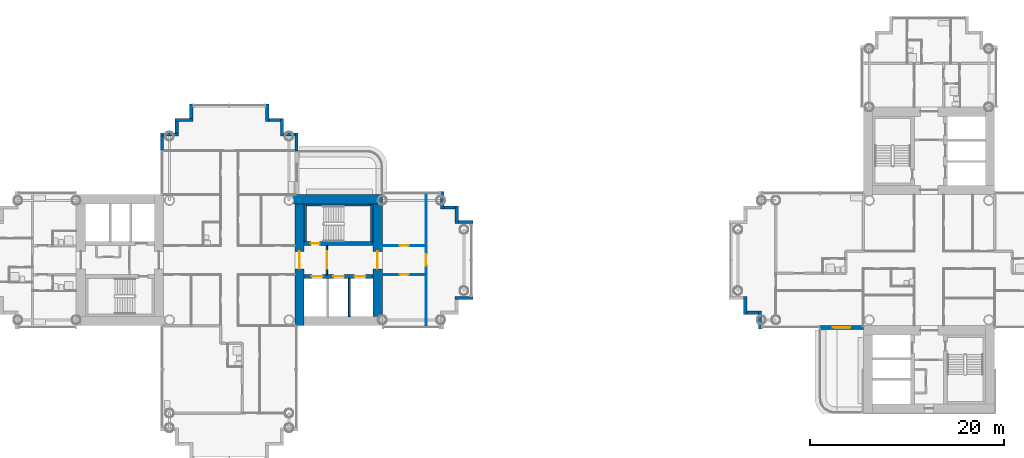
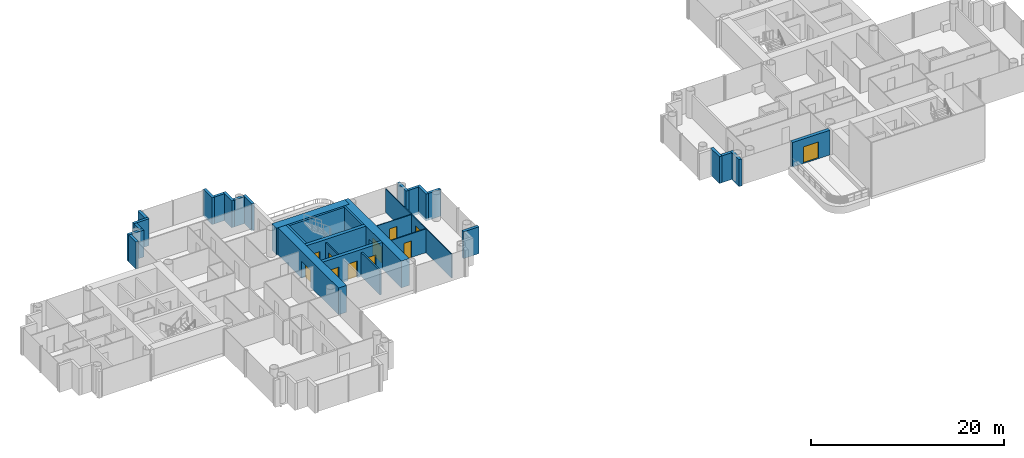
# One storey, part 11 of 21: 32 walls, 11 doors, 11 openings.
"""IFC4 building model written with IfcOpenShell, lengths in metres."""

import ifcopenshell
import ifcopenshell.guid

model = None  # the IFC model being written
_history = None  # IfcOwnerHistory: only IFC2X3 demands one
_inside = {}  # id of a spatial element -> (the spatial element, [elements in it])
_under = {}  # id of a project, library or spatial element -> (it, [spatial elements below it])
_declared = {}  # id of a project -> (the project, [libraries it declares])
_typed = {}  # id of a type object -> (the type object, [elements of that type])
_made_of = {}  # id of a material, layer set ... -> (it, [elements and type objects made of it])


def new_model(schema):
    """Start an empty IFC model of exactly this schema.

    Asked for "IFC4X3", IfcOpenShell would pick the latest addendum, in which some entities
    have other attributes; the version numbers below select the first issue.
    IFC2X3 requires an IfcOwnerHistory on every rooted entity: one is made here for all.
    """
    global model, _history
    if schema == "IFC4X3":
        model = ifcopenshell.file(schema_version=(4, 3, 0, 0))
    else:
        model = ifcopenshell.file(schema=schema)
    _inside.clear()
    _under.clear()
    _declared.clear()
    _typed.clear()
    _made_of.clear()
    _history = None
    if model.schema == "IFC2X3":
        org = make("IfcOrganization", Name="unknown")
        user = make(
            "IfcPersonAndOrganization",
            ThePerson=make("IfcPerson", FamilyName="unknown"),
            TheOrganization=org,
        )
        app = make(
            "IfcApplication",
            ApplicationDeveloper=org,
            Version="unknown",
            ApplicationFullName="unknown",
            ApplicationIdentifier="unknown",
        )
        _history = make(
            "IfcOwnerHistory",
            OwningUser=user,
            OwningApplication=app,
            ChangeAction="ADDED",
            CreationDate=0,
        )
    return model


def make(cls, **values):
    """One entity of the class cls with the attributes given. An attribute that is None is left unset."""
    return model.create_entity(
        cls, **{name: value for name, value in values.items() if value is not None}
    )


def rooted(cls, **values):
    """An entity with a GlobalId (a new one), such as an element, a storey or a relation."""
    return make(cls, GlobalId=ifcopenshell.guid.new(), OwnerHistory=_history, **values)


def si_unit(unit_type, name, prefix=None):
    """IfcSIUnit, for example si_unit("LENGTHUNIT", "METRE", prefix="MILLI")."""
    return make("IfcSIUnit", UnitType=unit_type, Prefix=prefix, Name=name)


def assignment(units):
    """IfcUnitAssignment: the units of a project."""
    return None if units is None else make("IfcUnitAssignment", Units=units)


def point(xyz):
    """IfcCartesianPoint."""
    return None if xyz is None else make("IfcCartesianPoint", Coordinates=xyz)


def direction(xyz):
    """IfcDirection."""
    return None if xyz is None else make("IfcDirection", DirectionRatios=xyz)


def frame(location, z_axis=None, x_axis=None):
    """IfcAxis2Placement3D, a coordinate frame: its origin and axes. An axis left out is left unset."""
    return make(
        "IfcAxis2Placement3D",
        Location=point(location),
        Axis=direction(z_axis),
        RefDirection=direction(x_axis),
    )


def frame_2d(location, x_axis=None):
    """IfcAxis2Placement2D, a coordinate frame in the plane: its origin and x axis."""
    return make(
        "IfcAxis2Placement2D", Location=point(location), RefDirection=direction(x_axis)
    )


def origin():
    """The frame at (0, 0, 0) with its axes left unset."""
    return frame((0.0, 0.0, 0.0))


def place(relative_to, where):
    """IfcLocalPlacement: puts the frame where relative to a parent placement (None: the world)."""
    return make(
        "IfcLocalPlacement", PlacementRelTo=relative_to, RelativePlacement=where
    )


def context(
    kind, dimensions, precision=None, world=None, true_north=None, identifier=None
):
    """IfcGeometricRepresentationContext, for example the 3D "Model" context."""
    return make(
        "IfcGeometricRepresentationContext",
        ContextIdentifier=identifier,
        ContextType=kind,
        CoordinateSpaceDimension=dimensions,
        Precision=precision,
        WorldCoordinateSystem=world,
        TrueNorth=true_north,
    )


def subcontext(parent, identifier, kind, view, scale=None):
    """IfcGeometricRepresentationSubContext, for example "Body" below "Model"."""
    return make(
        "IfcGeometricRepresentationSubContext",
        ContextIdentifier=identifier,
        ContextType=kind,
        ParentContext=parent,
        TargetScale=scale,
        TargetView=view,
    )


def project(units=None, contexts=None):
    """IfcProject with its units and contexts."""
    return rooted(
        "IfcProject",
        Name="project",
        RepresentationContexts=contexts,
        UnitsInContext=assignment(units),
    )


def spatial(cls, under=None, at=None, **own):
    """A site, building, storey or space (cls), placed at a placement, below another one or the project."""
    s = rooted(cls, ObjectPlacement=at, **own)
    if under is not None:
        _under.setdefault(under.id(), (under, []))[1].append(s)
    return s


def profile(cls, at=None, kind="AREA", **sizes):
    """A parametric profile (cls). Its sizes go by their IFC names, for example OverallWidth=200.0."""
    return make(cls, ProfileType=kind, Position=at, **sizes)


def rectangle(**sizes):
    """IfcRectangleProfileDef."""
    return profile("IfcRectangleProfileDef", **sizes)


def extrude(swept, where, along, depth):
    """IfcExtrudedAreaSolid: the profile swept, set in the frame where, extruded along a direction by depth."""
    return make(
        "IfcExtrudedAreaSolid",
        SweptArea=swept,
        Position=where,
        ExtrudedDirection=direction(along),
        Depth=depth,
    )


def shape(context_of_items, identifier, shape_type, items):
    """IfcShapeRepresentation: the items that make up one representation, for example the "Body"."""
    return make(
        "IfcShapeRepresentation",
        ContextOfItems=context_of_items,
        RepresentationIdentifier=identifier,
        RepresentationType=shape_type,
        Items=items,
    )


def material(Name=None, Category=None):
    """IfcMaterial."""
    return make("IfcMaterial", Name=Name, Category=Category)


def layer(
    of_material, thickness, ventilated=None, Name=None, Category=None, Priority=None
):
    """IfcMaterialLayer: one layer of a wall or slab, of a material (None: an air gap)."""
    return make(
        "IfcMaterialLayer",
        Material=of_material,
        LayerThickness=thickness,
        IsVentilated=ventilated,
        Name=Name,
        Category=Category,
        Priority=Priority,
    )


def layer_set(layers, Name=None):
    """IfcMaterialLayerSet."""
    return make("IfcMaterialLayerSet", MaterialLayers=layers, LayerSetName=Name)


def made_of(thing, what):
    """Note that an element or type object is made of a material, layer set ...; save() writes the relation."""
    if what is not None:
        _made_of.setdefault(what.id(), (what, []))[1].append(thing)
    return thing


def type_object(cls, material=None, **own):
    """A type object (cls), such as IfcWallType, which elements share."""
    return made_of(rooted(cls, **own), material)


def element(
    cls,
    number,
    at=None,
    inside=None,
    cuts=None,
    type_object=None,
    material=None,
    context=None,
    identifier="Body",
    shape_type=None,
    held_by="IfcProductDefinitionShape",
    body=None,
    shapes=None,
    **own,
):
    """One element of the class cls, such as IfcWall. Its Tag is "e" and its number.

    at: its placement. inside: the storey or other place that contains it. cuts: it is an
    opening in that element (IfcRelVoidsElement). A single representation is given by context,
    identifier, shape_type and body (its items); several are given by shapes. held_by: the class
    of the entity that holds the representations. save() writes the other relations.
    """
    e = rooted(cls, Tag="e%d" % number, ObjectPlacement=at, **own)
    if body is not None:
        shapes = [shape(context, identifier, shape_type, body)]
    if shapes is not None:
        e.Representation = make(held_by, Representations=shapes)
    if inside is not None:
        _inside.setdefault(inside.id(), (inside, []))[1].append(e)
    if cuts is not None:
        rooted(
            "IfcRelVoidsElement", RelatingBuildingElement=cuts, RelatedOpeningElement=e
        )
    if type_object is not None:
        _typed.setdefault(type_object.id(), (type_object, []))[1].append(e)
    return made_of(e, material)


def fill(opening, filler):
    """IfcRelFillsElement: the door or window that sits in an opening."""
    return rooted(
        "IfcRelFillsElement",
        RelatingOpeningElement=opening,
        RelatedBuildingElement=filler,
    )


def aggregate(whole, parts):
    """IfcRelAggregates: a whole, such as a stair, and the parts it consists of."""
    return rooted("IfcRelAggregates", RelatingObject=whole, RelatedObjects=parts)


def save(model, path):
    """Write the relations noted so far, then the file.

    IfcRelAggregates (storeys below a building ...), IfcRelContainedInSpatialStructure (elements
    in a storey), IfcRelDefinesByType, IfcRelAssociatesMaterial and IfcRelDeclares: one each for
    every whole, place, type object, material and project.
    """
    for whole, parts in _under.values():
        aggregate(whole, parts)
    for where, things in _inside.values():
        rooted(
            "IfcRelContainedInSpatialStructure",
            RelatedElements=things,
            RelatingStructure=where,
        )
    for kind, things in _typed.values():
        rooted("IfcRelDefinesByType", RelatedObjects=things, RelatingType=kind)
    for what, things in _made_of.values():
        rooted("IfcRelAssociatesMaterial", RelatedObjects=things, RelatingMaterial=what)
    for by, libraries in _declared.values():
        rooted("IfcRelDeclares", RelatingContext=by, RelatedDefinitions=libraries)
    model.write(path)


model = new_model("IFC4")

# Units and contexts
model_context = context("Model", 3, precision=1e-05, world=origin(), true_north=direction((0.0, 1.0)))
body_context = subcontext(model_context, "Body", "Model", "MODEL_VIEW")
ifc_project = project(units=[si_unit("LENGTHUNIT", "METRE"), si_unit("AREAUNIT", "SQUARE_METRE"), si_unit("VOLUMEUNIT", "CUBIC_METRE"), si_unit("PLANEANGLEUNIT", "RADIAN"), si_unit("MASSUNIT", "GRAM", prefix="KILO")], contexts=[model_context])

# Site, building, storey
site_placement = place(None, origin())
site = spatial("IfcSite", under=ifc_project, at=site_placement, CompositionType="ELEMENT")
building_placement = place(site_placement, origin())
building = spatial("IfcBuilding", under=site, at=building_placement, Name="Ipe Terrace Towers", CompositionType="ELEMENT")
storey_placement = place(building_placement, frame((0.0, 0.0, 83.39990234375)))
storey = spatial("IfcBuildingStorey", under=building, at=storey_placement, Name="L22", CompositionType="ELEMENT", Elevation=83.39990234375)

# Wall, opening, door
ifc_material_1 = material(Name="Concrete C40/50 with buff precast cladding", Category="concrete")
ifc_layer_1 = layer(ifc_material_1, 0.39990234375)
ifc_layer_set_1 = layer_set([ifc_layer_1], Name="BALCONY BAY WALL 400")
wall_type_1 = type_object("IfcWallType", Name="BALCONY BAY WALL 400", PredefinedType="STANDARD", material=ifc_layer_set_1)
wall_1_placement = place(storey_placement, frame((24.75, -6.949951171875, -0.02001953125), z_axis=(0.0, 0.0, 1.0), x_axis=(1.0, 0.0, 0.0)))
wall_1 = element("IfcWall", 1, at=wall_1_placement, inside=storey, type_object=wall_type_1, Name="T2-W-L22-40a wall", PredefinedType="STANDARD", context=body_context, shape_type="SweptSolid", body=[
    extrude(rectangle(XDim=4.5, YDim=0.39990234375, at=frame_2d((2.25, 0.0))), origin(), (0.0, 0.0, 1.0), 3.1201171875),
])
opening_1_placement = place(wall_1_placement, frame((1.35009765625, 0.0, 0.02001953125)))
opening_1 = element("IfcOpeningElement", 2, at=opening_1_placement, cuts=wall_1, Name="Opening T2-D-L22-40", PredefinedType="OPENING", context=body_context, shape_type="SweptSolid", body=[
    extrude(rectangle(XDim=1.800048828125, YDim=2.10009765625, at=frame_2d((0.89990234375, 1.050048828125))), frame((0.0, 0.2099609375, 0.0), z_axis=(0.0, -1.0, 0.0), x_axis=(1.0, 0.0, 0.0)), (0.0, 0.0, 1.0), 0.419921875),
])
ifc_material_2 = material(Name="Aluminium alloy 6063-T6 framed glazed door", Category="aluminium")
door_type_1 = type_object("IfcDoorType", Name="BALCONY DOOR 1800 x 2100 RIGHT", OperationType="SINGLE_SWING_RIGHT", PredefinedType="DOOR", material=ifc_material_2)
door_1_placement = place(opening_1_placement, origin())
door_1 = element("IfcDoor", 3, at=door_1_placement, inside=storey, type_object=door_type_1, Name="DB2 door", OperationType="SINGLE_SWING_RIGHT", OverallHeight=2.10009765625, OverallWidth=1.800048828125, PredefinedType="DOOR", context=body_context, shape_type="SweptSolid", body=[
    extrude(rectangle(XDim=1.800048828125, YDim=2.10009765625, at=frame_2d((0.89990234375, 1.050048828125))), frame((0.0, 0.02490234375, 0.0), z_axis=(0.0, -1.0, 0.0), x_axis=(1.0, 0.0, 0.0)), (0.0, 0.0, 1.0), 0.050048828125),
])
fill(opening_1, door_1)

# Walls
ifc_material_3 = material(Name="Concrete C40/50 with buff precast cladding", Category="concrete")
ifc_layer_2 = layer(ifc_material_3, 0.320068359375)
ifc_layer_set_2 = layer_set([ifc_layer_2], Name="BUFF CLADDING WALL 320")
wall_type_2 = type_object("IfcWallType", Name="BUFF CLADDING WALL 320", PredefinedType="STANDARD", material=ifc_layer_set_2)
wall_2_placement = place(storey_placement, frame((-12.75, -3.909912109375, -0.2998046875), z_axis=(0.0, 0.0, 1.0), x_axis=(1.0, 0.0, 0.0)))
element("IfcWall", 4, at=wall_2_placement, inside=storey, type_object=wall_type_2, Name="T1-W-L22-24a wall", PredefinedType="STANDARD", context=body_context, shape_type="SweptSolid", body=[
    extrude(rectangle(XDim=1.820068359375, YDim=0.320068359375, at=frame_2d((0.91015625, 0.0))), origin(), (0.0, 0.0, 1.0), 3.39990234375),
])
wall_3_placement = place(storey_placement, frame((-10.929931640625, 3.909912109375, -0.2998046875), z_axis=(0.0, 0.0, 1.0), x_axis=(-1.0, 0.0, 0.0)))
element("IfcWall", 5, at=wall_3_placement, inside=storey, type_object=wall_type_2, Name="T1-W-L22-26a wall", PredefinedType="STANDARD", context=body_context, shape_type="SweptSolid", body=[
    extrude(rectangle(XDim=1.5, YDim=0.320068359375, at=frame_2d((0.75, 0.0))), origin(), (0.0, 0.0, 1.0), 3.39990234375),
])
wall_4_placement = place(storey_placement, frame((-12.590087890625, 3.75, -0.2998046875), z_axis=(0.0, 0.0, 1.0), x_axis=(0.0, 1.0, 0.0)))
element("IfcWall", 6, at=wall_4_placement, inside=storey, type_object=wall_type_2, Name="T1-W-L22-27a wall", PredefinedType="STANDARD", context=body_context, shape_type="SweptSolid", body=[
    extrude(rectangle(XDim=1.820068359375, YDim=0.320068359375, at=frame_2d((0.91015625, 0.0))), origin(), (0.0, 0.0, 1.0), 3.39990234375),
])
wall_5_placement = place(storey_placement, frame((-12.75, 5.409912109375, -0.2998046875), z_axis=(0.0, 0.0, 1.0), x_axis=(-1.0, 0.0, 0.0)))
element("IfcWall", 7, at=wall_5_placement, inside=storey, type_object=wall_type_2, Name="T1-W-L22-28a wall", PredefinedType="STANDARD", context=body_context, shape_type="SweptSolid", body=[
    extrude(rectangle(XDim=1.179931640625, YDim=0.320068359375, at=frame_2d((0.58984375, 0.0))), origin(), (0.0, 0.0, 1.0), 3.39990234375),
])
for number, where, z_axis, x_axis, name in (
    (8, (-14.090087890625, 5.25, -0.2998046875), (0.0, 0.0, 1.0), (0.0, 1.0, 0.0), "T1-W-L22-29a wall"),
    (9, (-29.090087890625, 11.25, -0.2998046875), (0.0, 0.0, 1.0), (0.0, 1.0, 0.0), "T1-W-L22-33a wall"),
):
    element("IfcWall", number, at=place(storey_placement, frame(where, z_axis=z_axis, x_axis=x_axis)), inside=storey, type_object=wall_type_2, Name=name, PredefinedType="STANDARD", context=body_context, shape_type="SweptSolid", body=[
        extrude(rectangle(XDim=1.820068359375, YDim=0.320068359375, at=frame_2d((0.91015625, 0.0))), origin(), (0.0, 0.0, 1.0), 3.39990234375),
    ])
wall_6_placement = place(storey_placement, frame((-29.25, 12.909912109375, -0.2998046875), z_axis=(0.0, 0.0, 1.0), x_axis=(-1.0, 0.0, 0.0)))
element("IfcWall", 10, at=wall_6_placement, inside=storey, type_object=wall_type_2, Name="T1-W-L22-34a wall", PredefinedType="STANDARD", context=body_context, shape_type="SweptSolid", body=[
    extrude(rectangle(XDim=1.179931640625, YDim=0.320068359375, at=frame_2d((0.58984375, 0.0))), origin(), (0.0, 0.0, 1.0), 3.39990234375),
])
wall_7_placement = place(storey_placement, frame((-30.590087890625, 12.75, -0.2998046875), z_axis=(0.0, 0.0, 1.0), x_axis=(0.0, 1.0, 0.0)))
element("IfcWall", 11, at=wall_7_placement, inside=storey, type_object=wall_type_2, Name="T1-W-L22-35a wall", PredefinedType="STANDARD", context=body_context, shape_type="SweptSolid", body=[
    extrude(rectangle(XDim=1.820068359375, YDim=0.320068359375, at=frame_2d((0.91015625, 0.0))), origin(), (0.0, 0.0, 1.0), 3.39990234375),
])
wall_8_placement = place(storey_placement, frame((-30.75, 14.409912109375, -0.2998046875), z_axis=(0.0, 0.0, 1.0), x_axis=(-1.0, 0.0, 0.0)))
element("IfcWall", 12, at=wall_8_placement, inside=storey, type_object=wall_type_2, Name="T1-W-L22-36a wall", PredefinedType="STANDARD", context=body_context, shape_type="SweptSolid", body=[
    extrude(rectangle(XDim=1.179931640625, YDim=0.320068359375, at=frame_2d((0.58984375, 0.0))), origin(), (0.0, 0.0, 1.0), 3.39990234375),
])
wall_9_placement = place(storey_placement, frame((-32.090087890625, 14.25, -0.2998046875), z_axis=(0.0, 0.0, 1.0), x_axis=(0.0, 1.0, 0.0)))
element("IfcWall", 13, at=wall_9_placement, inside=storey, type_object=wall_type_2, Name="T1-W-L22-37a wall", PredefinedType="STANDARD", context=body_context, shape_type="SweptSolid", body=[
    extrude(rectangle(XDim=1.820068359375, YDim=0.320068359375, at=frame_2d((0.91015625, 0.0))), origin(), (0.0, 0.0, 1.0), 3.39990234375),
])
wall_10_placement = place(storey_placement, frame((-39.909912109375, 16.070068359375, -0.2998046875), z_axis=(0.0, 0.0, 1.0), x_axis=(0.0, -1.0, 0.0)))
element("IfcWall", 14, at=wall_10_placement, inside=storey, type_object=wall_type_2, Name="T1-W-L22-39a wall", PredefinedType="STANDARD", context=body_context, shape_type="SweptSolid", body=[
    extrude(rectangle(XDim=1.5, YDim=0.320068359375, at=frame_2d((0.75, 0.0))), origin(), (0.0, 0.0, 1.0), 3.39990234375),
])
wall_11_placement = place(storey_placement, frame((-39.75, 14.409912109375, -0.2998046875), z_axis=(0.0, 0.0, 1.0), x_axis=(-1.0, 0.0, 0.0)))
element("IfcWall", 15, at=wall_11_placement, inside=storey, type_object=wall_type_2, Name="T1-W-L22-40a wall", PredefinedType="STANDARD", context=body_context, shape_type="SweptSolid", body=[
    extrude(rectangle(XDim=1.820068359375, YDim=0.320068359375, at=frame_2d((0.91015625, 0.0))), origin(), (0.0, 0.0, 1.0), 3.39990234375),
])
wall_12_placement = place(storey_placement, frame((-41.409912109375, 14.25, -0.2998046875), z_axis=(0.0, 0.0, 1.0), x_axis=(0.0, -1.0, 0.0)))
element("IfcWall", 16, at=wall_12_placement, inside=storey, type_object=wall_type_2, Name="T1-W-L22-41a wall", PredefinedType="STANDARD", context=body_context, shape_type="SweptSolid", body=[
    extrude(rectangle(XDim=1.179931640625, YDim=0.320068359375, at=frame_2d((0.58984375, 0.0))), origin(), (0.0, 0.0, 1.0), 3.39990234375),
])
wall_13_placement = place(storey_placement, frame((-41.25, 12.909912109375, -0.2998046875), z_axis=(0.0, 0.0, 1.0), x_axis=(-1.0, 0.0, 0.0)))
element("IfcWall", 17, at=wall_13_placement, inside=storey, type_object=wall_type_2, Name="T1-W-L22-42a wall", PredefinedType="STANDARD", context=body_context, shape_type="SweptSolid", body=[
    extrude(rectangle(XDim=1.820068359375, YDim=0.320068359375, at=frame_2d((0.91015625, 0.0))), origin(), (0.0, 0.0, 1.0), 3.39990234375),
])
wall_14_placement = place(storey_placement, frame((-42.909912109375, 12.75, -0.2998046875), z_axis=(0.0, 0.0, 1.0), x_axis=(0.0, -1.0, 0.0)))
element("IfcWall", 18, at=wall_14_placement, inside=storey, type_object=wall_type_2, Name="T1-W-L22-43a wall", PredefinedType="STANDARD", context=body_context, shape_type="SweptSolid", body=[
    extrude(rectangle(XDim=1.5, YDim=0.320068359375, at=frame_2d((0.75, 0.0))), origin(), (0.0, 0.0, 1.0), 3.39990234375),
])
wall_15_placement = place(storey_placement, frame((17.090087890625, -3.75, -0.2998046875), z_axis=(0.0, 0.0, 1.0), x_axis=(0.0, -1.0, 0.0)))
element("IfcWall", 19, at=wall_15_placement, inside=storey, type_object=wall_type_2, Name="T2-W-L22-36a wall", PredefinedType="STANDARD", context=body_context, shape_type="SweptSolid", body=[
    extrude(rectangle(XDim=1.820068359375, YDim=0.320068359375, at=frame_2d((0.91015625, 0.0))), origin(), (0.0, 0.0, 1.0), 3.39990234375),
])
wall_16_placement = place(storey_placement, frame((17.25, -5.409912109375, -0.2998046875), z_axis=(0.0, 0.0, 1.0), x_axis=(1.0, 0.0, 0.0)))
element("IfcWall", 20, at=wall_16_placement, inside=storey, type_object=wall_type_2, Name="T2-W-L22-37a wall", PredefinedType="STANDARD", context=body_context, shape_type="SweptSolid", body=[
    extrude(rectangle(XDim=1.179931640625, YDim=0.320068359375, at=frame_2d((0.58984375, 0.0))), origin(), (0.0, 0.0, 1.0), 3.39990234375),
])
wall_17_placement = place(storey_placement, frame((18.590087890625, -5.25, -0.2998046875), z_axis=(0.0, 0.0, 1.0), x_axis=(0.0, -1.0, 0.0)))
element("IfcWall", 21, at=wall_17_placement, inside=storey, type_object=wall_type_2, Name="T2-W-L22-38a wall", PredefinedType="STANDARD", context=body_context, shape_type="SweptSolid", body=[
    extrude(rectangle(XDim=1.820068359375, YDim=0.320068359375, at=frame_2d((0.91015625, 0.0))), origin(), (0.0, 0.0, 1.0), 3.39990234375),
])

# Wall, opening, door
ifc_material_4 = material(Name="Gypsum board partition", Category="plasterboard")
ifc_layer_3 = layer(ifc_material_4, 0.10009765625)
ifc_layer_set_3 = layer_set([ifc_layer_3], Name="Gypsum board partition 100 mm")
wall_type_3 = type_object("IfcWallType", Name="Gypsum board partition 100 mm", PredefinedType="PARTITIONING", material=ifc_layer_set_3)
wall_18_placement = place(storey_placement, frame((-15.75, -6.85009765625, 0.0), z_axis=(0.0, 0.0, 1.0), x_axis=(0.0, 1.0, 0.0)))
wall_18 = element("IfcWall", 22, at=wall_18_placement, inside=storey, type_object=wall_type_3, Name="Gypsum board partition T1 L22 W17", PredefinedType="PARTITIONING", context=body_context, shape_type="SweptSolid", body=[
    extrude(rectangle(XDim=13.7001953125, YDim=0.10009765625, at=frame_2d((6.85009765625, 0.0))), origin(), (0.0, 0.0, 1.0), 3.0),
])
opening_2_placement = place(wall_18_placement, frame((6.25, 0.0, 0.0)))
opening_2 = element("IfcOpeningElement", 23, at=opening_2_placement, cuts=wall_18, Name="Opening T1-Z2B-18", PredefinedType="OPENING", context=body_context, shape_type="SweptSolid", body=[
    extrude(rectangle(XDim=1.199951171875, YDim=2.10009765625, at=frame_2d((0.60009765625, 1.050048828125))), frame((0.0, 0.06005859375, 0.0), z_axis=(0.0, -1.0, 0.0), x_axis=(1.0, 0.0, 0.0)), (0.0, 0.0, 1.0), 0.1201171875),
])
ifc_material_5 = material(Name="Timber door leaf", Category="wood")
door_type_2 = type_object("IfcDoorType", Name="Lounge door 1200 x 2100", OperationType="NOTDEFINED", PredefinedType="DOOR", material=ifc_material_5)
door_2_placement = place(opening_2_placement, origin())
door_2 = element("IfcDoor", 24, at=door_2_placement, inside=storey, type_object=door_type_2, Name="Lounge door T1-Z2B-18", OperationType="SINGLE_SWING_RIGHT", OverallHeight=2.10009765625, OverallWidth=1.199951171875, PredefinedType="DOOR", context=body_context, shape_type="SweptSolid", body=[
    extrude(rectangle(XDim=1.199951171875, YDim=2.10009765625, at=frame_2d((0.60009765625, 1.050048828125))), frame((0.0, 0.02490234375, 0.0), z_axis=(0.0, -1.0, 0.0), x_axis=(1.0, 0.0, 0.0)), (0.0, 0.0, 1.0), 0.050048828125),
])
fill(opening_2, door_2)

wall_19_placement = place(storey_placement, frame((-20.25, -1.5, 0.0), z_axis=(0.0, 0.0, 1.0), x_axis=(1.0, 0.0, 0.0)))
wall_19 = element("IfcWall", 25, at=wall_19_placement, inside=storey, type_object=wall_type_3, Name="Gypsum board partition T1 L22 W28", PredefinedType="PARTITIONING", context=body_context, shape_type="SweptSolid", body=[
    extrude(rectangle(XDim=4.5, YDim=0.10009765625, at=frame_2d((2.25, 0.0))), origin(), (0.0, 0.0, 1.0), 3.0),
])
opening_3_placement = place(wall_19_placement, frame((1.800048828125, 0.0, 0.0)))
opening_3 = element("IfcOpeningElement", 26, at=opening_3_placement, cuts=wall_19, Name="Opening T1-Z2B-17", PredefinedType="OPENING", context=body_context, shape_type="SweptSolid", body=[
    extrude(rectangle(XDim=0.89990234375, YDim=2.10009765625, at=frame_2d((0.449951171875, 1.050048828125))), frame((0.0, 0.06005859375, 0.0), z_axis=(0.0, -1.0, 0.0), x_axis=(1.0, 0.0, 0.0)), (0.0, 0.0, 1.0), 0.1201171875),
])
ifc_material_6 = material(Name="Timber door leaf", Category="wood")
door_type_3 = type_object("IfcDoorType", Name="Lounge door 900 x 2100", OperationType="NOTDEFINED", PredefinedType="DOOR", material=ifc_material_6)
door_3_placement = place(opening_3_placement, origin())
door_3 = element("IfcDoor", 27, at=door_3_placement, inside=storey, type_object=door_type_3, Name="Lounge door T1-Z2B-17", OperationType="SINGLE_SWING_RIGHT", OverallHeight=2.10009765625, OverallWidth=0.89990234375, PredefinedType="DOOR", context=body_context, shape_type="SweptSolid", body=[
    extrude(rectangle(XDim=0.89990234375, YDim=2.10009765625, at=frame_2d((0.449951171875, 1.050048828125))), frame((0.0, 0.02490234375, 0.0), z_axis=(0.0, -1.0, 0.0), x_axis=(1.0, 0.0, 0.0)), (0.0, 0.0, 1.0), 0.050048828125),
])
fill(opening_3, door_3)

wall_20_placement = place(storey_placement, frame((-20.25, 1.5, 0.0), z_axis=(0.0, 0.0, 1.0), x_axis=(1.0, 0.0, 0.0)))
wall_20 = element("IfcWall", 28, at=wall_20_placement, inside=storey, type_object=wall_type_3, Name="Gypsum board partition T1 L22 W33", PredefinedType="PARTITIONING", context=body_context, shape_type="SweptSolid", body=[
    extrude(rectangle(XDim=4.5, YDim=0.10009765625, at=frame_2d((2.25, 0.0))), origin(), (0.0, 0.0, 1.0), 3.0),
])
opening_4_placement = place(wall_20_placement, frame((1.800048828125, 0.0, 0.0)))
opening_4 = element("IfcOpeningElement", 29, at=opening_4_placement, cuts=wall_20, Name="Opening T1-Z2B-16", PredefinedType="OPENING", context=body_context, shape_type="SweptSolid", body=[
    extrude(rectangle(XDim=0.89990234375, YDim=2.10009765625, at=frame_2d((0.449951171875, 1.050048828125))), frame((0.0, 0.06005859375, 0.0), z_axis=(0.0, -1.0, 0.0), x_axis=(1.0, 0.0, 0.0)), (0.0, 0.0, 1.0), 0.1201171875),
])
door_4_placement = place(opening_4_placement, origin())
door_4 = element("IfcDoor", 30, at=door_4_placement, inside=storey, type_object=door_type_3, Name="Lounge door T1-Z2B-16", OperationType="SINGLE_SWING_LEFT", OverallHeight=2.10009765625, OverallWidth=0.89990234375, PredefinedType="DOOR", context=body_context, shape_type="SweptSolid", body=[
    extrude(rectangle(XDim=0.89990234375, YDim=2.10009765625, at=frame_2d((0.449951171875, 1.050048828125))), frame((0.0, 0.02490234375, 0.0), z_axis=(0.0, -1.0, 0.0), x_axis=(1.0, 0.0, 0.0)), (0.0, 0.0, 1.0), 0.050048828125),
])
fill(opening_4, door_4)

ifc_material_7 = material(Name="Gypsum board partition", Category="plasterboard")
ifc_layer_4 = layer(ifc_material_7, 0.14990234375)
ifc_layer_set_4 = layer_set([ifc_layer_4], Name="Gypsum board partition 150 mm")
wall_type_4 = type_object("IfcWallType", Name="Gypsum board partition 150 mm", PredefinedType="PARTITIONING", material=ifc_layer_set_4)
wall_21_placement = place(storey_placement, frame((-25.949951171875, -1.5, 0.0), z_axis=(0.0, 0.0, 1.0), x_axis=(0.0, 1.0, 0.0)))
wall_21 = element("IfcWall", 31, at=wall_21_placement, inside=storey, type_object=wall_type_4, Name="Gypsum board partition T1 L22 t1c1-lobby-wall", PredefinedType="PARTITIONING", context=body_context, shape_type="SweptSolid", body=[
    extrude(rectangle(XDim=3.0, YDim=0.14990234375, at=frame_2d((1.5, 0.0))), origin(), (0.0, 0.0, 1.0), 3.0),
])
opening_5_placement = place(wall_21_placement, frame((0.60009765625, 0.0, 0.0)))
opening_5 = element("IfcOpeningElement", 32, at=opening_5_placement, cuts=wall_21, Name="Opening T1C1-VD", PredefinedType="OPENING", context=body_context, shape_type="SweptSolid", body=[
    extrude(rectangle(XDim=1.800048828125, YDim=2.10009765625, at=frame_2d((0.89990234375, 1.050048828125))), frame((0.0, 0.0849609375, 0.0), z_axis=(0.0, -1.0, 0.0), x_axis=(1.0, 0.0, 0.0)), (0.0, 0.0, 1.0), 0.169921875),
])
ifc_material_8 = material(Name="Fire-rated timber door leaf", Category="wood")
door_type_4 = type_object("IfcDoorType", Name="Lobby door 1800 x 2100 FD60", OperationType="NOTDEFINED", PredefinedType="DOOR", material=ifc_material_8)
door_5_placement = place(opening_5_placement, origin())
door_5 = element("IfcDoor", 33, at=door_5_placement, inside=storey, type_object=door_type_4, Name="Lobby door T1C1-VD", OperationType="SINGLE_SWING_LEFT", OverallHeight=2.10009765625, OverallWidth=1.800048828125, PredefinedType="DOOR", context=body_context, shape_type="SweptSolid", body=[
    extrude(rectangle(XDim=1.800048828125, YDim=2.10009765625, at=frame_2d((0.89990234375, 1.050048828125))), frame((0.0, 0.02490234375, 0.0), z_axis=(0.0, -1.0, 0.0), x_axis=(1.0, 0.0, 0.0)), (0.0, 0.0, 1.0), 0.050048828125),
])
fill(opening_5, door_5)

# Walls
ifc_material_9 = material(Name="Gypsum board party wall", Category="plasterboard")
ifc_layer_5 = layer(ifc_material_9, 0.199951171875)
ifc_layer_set_5 = layer_set([ifc_layer_5], Name="Gypsum board party wall 200 mm")
wall_type_5 = type_object("IfcWallType", Name="Gypsum board party wall 200 mm", PredefinedType="SOLIDWALL", material=ifc_layer_set_5)
wall_22_placement = place(storey_placement, frame((-23.64990234375, -5.800048828125, 0.0), z_axis=(0.0, 0.0, 1.0), x_axis=(0.0, 1.0, 0.0)))
element("IfcWall", 34, at=wall_22_placement, inside=storey, type_object=wall_type_5, Name="Gypsum board party wall T1 L22 t1c1-shaft-div2", PredefinedType="SOLIDWALL", context=body_context, shape_type="SweptSolid", body=[
    extrude(rectangle(XDim=3.900146484375, YDim=0.199951171875, at=frame_2d((1.9501953125, 0.0))), origin(), (0.0, 0.0, 1.0), 3.0),
])
ifc_material_10 = material(Name="Concrete C50/60", Category="concrete")
ifc_layer_6 = layer(ifc_material_10, 0.25)
ifc_layer_set_6 = layer_set([ifc_layer_6], Name="RW250 CORE INFILL WALL 250 C50-60")
wall_type_6 = type_object("IfcWallType", Name="RW250 CORE INFILL WALL 250 C50-60", PredefinedType="SHEAR", material=ifc_layer_set_6)
wall_23_placement = place(storey_placement, frame((-21.324951171875, 1.89990234375, 0.0), z_axis=(0.0, 0.0, 1.0), x_axis=(0.0, 1.0, 0.0)))
element("IfcWall", 35, at=wall_23_placement, inside=storey, type_object=wall_type_6, Name="Core infill wall T1-C1-far", PredefinedType="SHEAR", context=body_context, shape_type="SweptSolid", body=[
    extrude(rectangle(XDim=3.900146484375, YDim=0.25, at=frame_2d((1.9501953125, 0.0))), origin(), (0.0, 0.0, 1.0), 3.400146484375),
])
wall_24_placement = place(storey_placement, frame((-28.050048828125, 5.675048828125, 0.0), z_axis=(0.0, 0.0, 1.0), x_axis=(1.0, 0.0, 0.0)))
element("IfcWall", 36, at=wall_24_placement, inside=storey, type_object=wall_type_6, Name="Core infill wall T1-C1-back", PredefinedType="SHEAR", context=body_context, shape_type="SweptSolid", body=[
    extrude(rectangle(XDim=6.60009765625, YDim=0.25, at=frame_2d((3.300048828125, 0.0))), origin(), (0.0, 0.0, 1.0), 3.400146484375),
])
wall_25_placement = place(storey_placement, frame((-28.175048828125, 1.89990234375, 0.0), z_axis=(0.0, 0.0, 1.0), x_axis=(0.0, 1.0, 0.0)))
element("IfcWall", 37, at=wall_25_placement, inside=storey, type_object=wall_type_6, Name="Core infill wall T1-C1-near", PredefinedType="SHEAR", context=body_context, shape_type="SweptSolid", body=[
    extrude(rectangle(XDim=3.900146484375, YDim=0.25, at=frame_2d((1.9501953125, 0.0))), origin(), (0.0, 0.0, 1.0), 3.400146484375),
])

# Wall, openings, doors
ifc_material_11 = material(Name="Concrete C50/60", Category="concrete")
ifc_layer_7 = layer(ifc_material_11, 0.39990234375)
ifc_layer_set_7 = layer_set([ifc_layer_7], Name="RW400 CORE SPINE WALL 400 C50-60")
wall_type_7 = type_object("IfcWallType", Name="RW400 CORE SPINE WALL 400 C50-60", PredefinedType="SHEAR", material=ifc_layer_set_7)
wall_26_placement = place(storey_placement, frame((-28.300048828125, -1.699951171875, 0.0), z_axis=(0.0, 0.0, 1.0), x_axis=(1.0, 0.0, 0.0)))
wall_26 = element("IfcWall", 38, at=wall_26_placement, inside=storey, type_object=wall_type_7, Name="Core spine wall T1-C1-Z2-SW1", PredefinedType="SHEAR", context=body_context, shape_type="SweptSolid", body=[
    extrude(rectangle(XDim=7.10009765625, YDim=0.39990234375, at=frame_2d((3.550048828125, 0.0))), origin(), (0.0, 0.0, 1.0), 3.400146484375),
])
opening_6_placement = place(wall_26_placement, frame((0.800048828125, 0.0, 0.0)))
opening_6 = element("IfcOpeningElement", 39, at=opening_6_placement, cuts=wall_26, Name="Opening T1C1-LD1", PredefinedType="OPENING", context=body_context, shape_type="SweptSolid", body=[
    extrude(rectangle(XDim=1.10009765625, YDim=2.10009765625, at=frame_2d((0.550048828125, 1.050048828125))), frame((0.0, 0.2099609375, 0.0), z_axis=(0.0, -1.0, 0.0), x_axis=(1.0, 0.0, 0.0)), (0.0, 0.0, 1.0), 0.419921875),
])
opening_7_placement = place(wall_26_placement, frame((3.0, 0.0, 0.0)))
opening_7 = element("IfcOpeningElement", 40, at=opening_7_placement, cuts=wall_26, Name="Opening T1C1-LD2", PredefinedType="OPENING", context=body_context, shape_type="SweptSolid", body=[
    extrude(rectangle(XDim=1.10009765625, YDim=2.10009765625, at=frame_2d((0.550048828125, 1.050048828125))), frame((0.0, 0.2099609375, 0.0), z_axis=(0.0, -1.0, 0.0), x_axis=(1.0, 0.0, 0.0)), (0.0, 0.0, 1.0), 0.419921875),
])
opening_8_placement = place(wall_26_placement, frame((5.199951171875, 0.0, 0.0)))
opening_8 = element("IfcOpeningElement", 41, at=opening_8_placement, cuts=wall_26, Name="Opening T1C1-LD3", PredefinedType="OPENING", context=body_context, shape_type="SweptSolid", body=[
    extrude(rectangle(XDim=1.10009765625, YDim=2.10009765625, at=frame_2d((0.550048828125, 1.050048828125))), frame((0.0, 0.2099609375, 0.0), z_axis=(0.0, -1.0, 0.0), x_axis=(1.0, 0.0, 0.0)), (0.0, 0.0, 1.0), 0.419921875),
])
ifc_material_12 = material(Name="Fire-rated timber door leaf", Category="wood")
door_type_5 = type_object("IfcDoorType", Name="Sliding door 1100 x 2100 FD60", OperationType="SLIDING_TO_LEFT", PredefinedType="DOOR", material=ifc_material_12)
door_6_placement = place(opening_6_placement, origin())
door_6 = element("IfcDoor", 42, at=door_6_placement, inside=storey, type_object=door_type_5, Name="Sliding door T1C1-LD1", OperationType="SLIDING_TO_LEFT", OverallHeight=2.10009765625, OverallWidth=1.10009765625, PredefinedType="DOOR", context=body_context, shape_type="SweptSolid", body=[
    extrude(rectangle(XDim=1.10009765625, YDim=2.10009765625, at=frame_2d((0.550048828125, 1.050048828125))), frame((0.0, 0.02490234375, 0.0), z_axis=(0.0, -1.0, 0.0), x_axis=(1.0, 0.0, 0.0)), (0.0, 0.0, 1.0), 0.050048828125),
])
fill(opening_6, door_6)
door_7_placement = place(opening_7_placement, origin())
door_7 = element("IfcDoor", 43, at=door_7_placement, inside=storey, type_object=door_type_5, Name="Sliding door T1C1-LD2", OperationType="SLIDING_TO_LEFT", OverallHeight=2.10009765625, OverallWidth=1.10009765625, PredefinedType="DOOR", context=body_context, shape_type="SweptSolid", body=[
    extrude(rectangle(XDim=1.10009765625, YDim=2.10009765625, at=frame_2d((0.550048828125, 1.050048828125))), frame((0.0, 0.02490234375, 0.0), z_axis=(0.0, -1.0, 0.0), x_axis=(1.0, 0.0, 0.0)), (0.0, 0.0, 1.0), 0.050048828125),
])
fill(opening_7, door_7)
door_8_placement = place(opening_8_placement, origin())
door_8 = element("IfcDoor", 44, at=door_8_placement, inside=storey, type_object=door_type_5, Name="Sliding door T1C1-LD3", OperationType="SLIDING_TO_LEFT", OverallHeight=2.10009765625, OverallWidth=1.10009765625, PredefinedType="DOOR", context=body_context, shape_type="SweptSolid", body=[
    extrude(rectangle(XDim=1.10009765625, YDim=2.10009765625, at=frame_2d((0.550048828125, 1.050048828125))), frame((0.0, 0.02490234375, 0.0), z_axis=(0.0, -1.0, 0.0), x_axis=(1.0, 0.0, 0.0)), (0.0, 0.0, 1.0), 0.050048828125),
])
fill(opening_8, door_8)

# Wall, opening, door
wall_27_placement = place(storey_placement, frame((-28.300048828125, 1.699951171875, 0.0), z_axis=(0.0, 0.0, 1.0), x_axis=(1.0, 0.0, 0.0)))
wall_27 = element("IfcWall", 45, at=wall_27_placement, inside=storey, type_object=wall_type_7, Name="Core spine wall T1-C1-Z2-SW2", PredefinedType="SHEAR", context=body_context, shape_type="SweptSolid", body=[
    extrude(rectangle(XDim=7.10009765625, YDim=0.39990234375, at=frame_2d((3.550048828125, 0.0))), origin(), (0.0, 0.0, 1.0), 3.400146484375),
])
opening_9_placement = place(wall_27_placement, frame((0.699951171875, 0.0, 0.0)))
opening_9 = element("IfcOpeningElement", 46, at=opening_9_placement, cuts=wall_27, Name="Opening T1C1-SD", PredefinedType="OPENING", context=body_context, shape_type="SweptSolid", body=[
    extrude(rectangle(XDim=0.89990234375, YDim=2.10009765625, at=frame_2d((0.449951171875, 1.050048828125))), frame((0.0, 0.2099609375, 0.0), z_axis=(0.0, -1.0, 0.0), x_axis=(1.0, 0.0, 0.0)), (0.0, 0.0, 1.0), 0.419921875),
])
ifc_material_13 = material(Name="Fire-rated timber door leaf", Category="wood")
door_type_6 = type_object("IfcDoorType", Name="Stair door 900 x 2100 FD60", OperationType="NOTDEFINED", PredefinedType="DOOR", material=ifc_material_13)
door_9_placement = place(opening_9_placement, origin())
door_9 = element("IfcDoor", 47, at=door_9_placement, inside=storey, type_object=door_type_6, Name="Stair door T1C1-SD", OperationType="SINGLE_SWING_LEFT", OverallHeight=2.10009765625, OverallWidth=0.89990234375, PredefinedType="DOOR", context=body_context, shape_type="SweptSolid", body=[
    extrude(rectangle(XDim=0.89990234375, YDim=2.10009765625, at=frame_2d((0.449951171875, 1.050048828125))), frame((0.0, 0.02490234375, 0.0), z_axis=(0.0, -1.0, 0.0), x_axis=(1.0, 0.0, 0.0)), (0.0, 0.0, 1.0), 0.050048828125),
])
fill(opening_9, door_9)

ifc_material_14 = material(Name="Concrete C50/60", Category="concrete")
ifc_layer_8 = layer(ifc_material_14, 0.949951171875)
ifc_layer_set_8 = layer_set([ifc_layer_8], Name="RW950 CORE WALL 950 C50-60")
wall_type_8 = type_object("IfcWallType", Name="RW950 CORE WALL 950 C50-60", PredefinedType="SHEAR", material=ifc_layer_set_8)
wall_28_placement = place(storey_placement, frame((-20.72509765625, -5.800048828125, 0.0), z_axis=(0.0, 0.0, 1.0), x_axis=(0.0, 1.0, 0.0)))
wall_28 = element("IfcWall", 48, at=wall_28_placement, inside=storey, type_object=wall_type_8, Name="Core wall T1-C1-Z2-W02", PredefinedType="SHEAR", context=body_context, shape_type="SweptSolid", body=[
    extrude(rectangle(XDim=12.550048828125, YDim=0.949951171875, at=frame_2d((6.27490234375, 0.0))), origin(), (0.0, 0.0, 1.0), 3.400146484375),
])
opening_10_placement = place(wall_28_placement, frame((4.89990234375, 0.0, 0.0)))
opening_10 = element("IfcOpeningElement", 49, at=opening_10_placement, cuts=wall_28, Name="Opening T1C1-FD", PredefinedType="OPENING", context=body_context, shape_type="SweptSolid", body=[
    extrude(rectangle(XDim=1.800048828125, YDim=2.10009765625, at=frame_2d((0.89990234375, 1.050048828125))), frame((0.0, 0.48486328125, 0.0), z_axis=(0.0, -1.0, 0.0), x_axis=(1.0, 0.0, 0.0)), (0.0, 0.0, 1.0), 0.969970703125),
])
ifc_material_15 = material(Name="Fire-rated timber door leaf", Category="wood")
door_type_7 = type_object("IfcDoorType", Name="Fire door 1800 x 2100 FD30S", OperationType="NOTDEFINED", PredefinedType="DOOR", material=ifc_material_15)
door_10_placement = place(opening_10_placement, origin())
door_10 = element("IfcDoor", 50, at=door_10_placement, inside=storey, type_object=door_type_7, Name="Fire door T1C1-FD", OperationType="SINGLE_SWING_LEFT", OverallHeight=2.10009765625, OverallWidth=1.800048828125, PredefinedType="DOOR", context=body_context, shape_type="SweptSolid", body=[
    extrude(rectangle(XDim=1.800048828125, YDim=2.10009765625, at=frame_2d((0.89990234375, 1.050048828125))), frame((0.0, 0.02490234375, 0.0), z_axis=(0.0, -1.0, 0.0), x_axis=(1.0, 0.0, 0.0)), (0.0, 0.0, 1.0), 0.050048828125),
])
fill(opening_10, door_10)

# Wall
wall_29_placement = place(storey_placement, frame((-20.701904296875, 6.27490234375, 0.0), z_axis=(0.0, 0.0, 1.0), x_axis=(-1.0, 0.0, 0.0)))
element("IfcWall", 51, at=wall_29_placement, inside=storey, type_object=wall_type_8, Name="Core wall T1-C1-Z2-W03", PredefinedType="SHEAR", context=body_context, shape_type="SweptSolid", body=[
    extrude(rectangle(XDim=8.696044921875, YDim=0.949951171875, at=frame_2d((4.34814453125, 0.0))), origin(), (0.0, 0.0, 1.0), 3.400146484375),
])

# Wall, opening, door
wall_30_placement = place(storey_placement, frame((-28.77490234375, 5.800048828125, 0.0), z_axis=(0.0, 0.0, 1.0), x_axis=(0.0, -1.0, 0.0)))
wall_30 = element("IfcWall", 52, at=wall_30_placement, inside=storey, type_object=wall_type_8, Name="Core wall T1-C1-Z2-W04", PredefinedType="SHEAR", context=body_context, shape_type="SweptSolid", body=[
    extrude(rectangle(XDim=12.550048828125, YDim=0.949951171875, at=frame_2d((6.27490234375, 0.0))), origin(), (0.0, 0.0, 1.0), 3.400146484375),
])
opening_11_placement = place(wall_30_placement, frame((4.89990234375, 0.0, 0.0)))
opening_11 = element("IfcOpeningElement", 53, at=opening_11_placement, cuts=wall_30, Name="Opening T1C1-ND", PredefinedType="OPENING", context=body_context, shape_type="SweptSolid", body=[
    extrude(rectangle(XDim=1.800048828125, YDim=2.10009765625, at=frame_2d((0.89990234375, 1.050048828125))), frame((0.0, 0.48486328125, 0.0), z_axis=(0.0, -1.0, 0.0), x_axis=(1.0, 0.0, 0.0)), (0.0, 0.0, 1.0), 0.969970703125),
])
door_11_placement = place(opening_11_placement, origin())
door_11 = element("IfcDoor", 54, at=door_11_placement, inside=storey, type_object=door_type_7, Name="Fire door T1C1-ND", OperationType="SINGLE_SWING_LEFT", OverallHeight=2.10009765625, OverallWidth=1.800048828125, PredefinedType="DOOR", context=body_context, shape_type="SweptSolid", body=[
    extrude(rectangle(XDim=1.800048828125, YDim=2.10009765625, at=frame_2d((0.89990234375, 1.050048828125))), frame((0.0, 0.02490234375, 0.0), z_axis=(0.0, -1.0, 0.0), x_axis=(1.0, 0.0, 0.0)), (0.0, 0.0, 1.0), 0.050048828125),
])
fill(opening_11, door_11)

save(model, "model.ifc")
